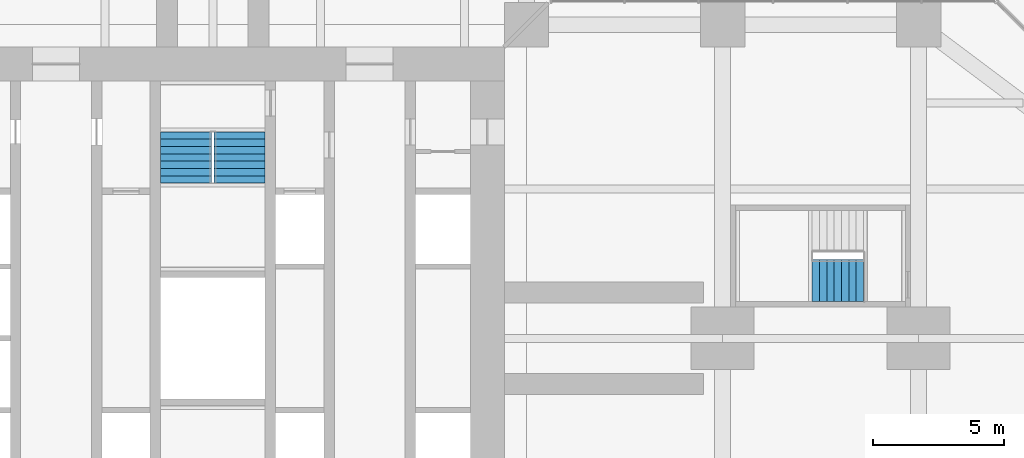
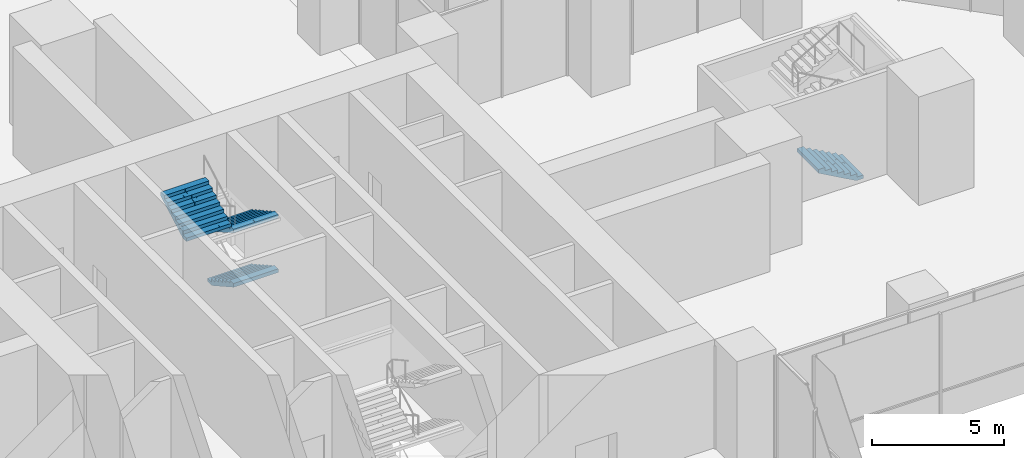
# One storey, part 21 of 23: 4 stair flights, 2 elements without a shape of their own.
"""IFC4 building model written with IfcOpenShell, lengths in metres."""

from ifc_helpers import new_model, si_unit, direction, frame, origin, place, context, subcontext, project, spatial, polyline, outline, extrude, material, type_object, element, aggregate, save


model = new_model("IFC4")

# Units and contexts
model_context = context("Model", 3, precision=1e-05, world=origin(), true_north=direction((0.0, 1.0)))
body_context = subcontext(model_context, "Body", "Model", "MODEL_VIEW")
ifc_project = project(units=[si_unit("LENGTHUNIT", "METRE"), si_unit("AREAUNIT", "SQUARE_METRE"), si_unit("VOLUMEUNIT", "CUBIC_METRE"), si_unit("PLANEANGLEUNIT", "RADIAN"), si_unit("MASSUNIT", "GRAM", prefix="KILO")], contexts=[model_context])

# Site, building, storey
site_placement = place(None, origin())
site = spatial("IfcSite", under=ifc_project, at=site_placement, CompositionType="ELEMENT")
building_placement = place(site_placement, origin())
building = spatial("IfcBuilding", under=site, at=building_placement, Name="Mizan Broadcast Tower", CompositionType="ELEMENT")
storey_placement = place(building_placement, frame((0.0, 0.0, 28.0)))
storey = spatial("IfcBuildingStorey", under=building, at=storey_placement, Name="L04", CompositionType="ELEMENT", Elevation=28.0)

# Stair, stair flights
ifc_material_1 = material(Name="Concrete C40/50", Category="concrete")
stair_type = type_object("IfcStairType", Name="EXIT STAIR", PredefinedType="HALF_TURN_STAIR", material=ifc_material_1)
stair_1_placement = place(storey_placement, origin())
stair_1 = element("IfcStair", 1, at=stair_1_placement, inside=storey, type_object=stair_type, Name="Stair B L04", PredefinedType="HALF_TURN_STAIR")
ifc_material_2 = material(Name="Concrete C40/50", Category="concrete")
stair_flight_type = type_object("IfcStairFlightType", Name="EXIT STAIR FLIGHT", PredefinedType="STRAIGHT", material=ifc_material_2)
stair_flight_1_placement = place(storey_placement, frame((1.02490234375, 7.89990234375, 0.0), z_axis=(0.0, 0.0, 1.0), x_axis=(0.0, -1.0, 0.0)))
stair_flight_1 = element("IfcStairFlight", 2, at=stair_flight_1_placement, type_object=stair_flight_type, Name="B flight 1", NumberOfRisers=8, NumberOfTreads=7, PredefinedType="STRAIGHT", RiserHeight=0.15625, TreadLength=0.28, context=body_context, shape_type="SweptSolid", body=[
    extrude(outline(polyline([(0.0, 0.0), (0.0, 0.15625), (0.280029296875, 0.15625), (0.280029296875, 0.3125), (0.56005859375, 0.3125), (0.56005859375, 0.46875), (0.840087890625, 0.46875), (0.840087890625, 0.625), (1.1201171875, 0.625), (1.1201171875, 0.78125), (1.39990234375, 0.78125), (1.39990234375, 0.9375), (1.679931640625, 0.9375), (1.679931640625, 1.09375), (1.9599609375, 1.09375), (1.9599609375, 1.25), (1.9599609375, 0.922119140625), (0.3076171875, 0.0), (0.0, 0.0)])), frame((0.0, 0.97509765625, 0.0), z_axis=(0.0, -1.0, 0.0), x_axis=(1.0, 0.0, 0.0)), (0.0, 0.0, 1.0), 0.4873046875),
    extrude(outline(polyline([(0.0, 0.0), (0.0, 0.15625), (0.280029296875, 0.15625), (0.280029296875, 0.3125), (0.56005859375, 0.3125), (0.56005859375, 0.46875), (0.840087890625, 0.46875), (0.840087890625, 0.625), (1.1201171875, 0.625), (1.1201171875, 0.78125), (1.39990234375, 0.78125), (1.39990234375, 0.9375), (1.679931640625, 0.9375), (1.679931640625, 1.09375), (1.9599609375, 1.09375), (1.9599609375, 1.25), (1.9599609375, 0.922119140625), (0.3076171875, 0.0), (0.0, 0.0)])), frame((0.0, 0.4873046875, 0.0), z_axis=(0.0, -1.0, 0.0), x_axis=(1.0, 0.0, 0.0)), (0.0, 0.0, 1.0), 0.2431640625),
    extrude(outline(polyline([(0.0, 0.0), (0.0, 0.15625), (0.280029296875, 0.15625), (0.280029296875, 0.3125), (0.56005859375, 0.3125), (0.56005859375, 0.46875), (0.840087890625, 0.46875), (0.840087890625, 0.625), (1.1201171875, 0.625), (1.1201171875, 0.78125), (1.39990234375, 0.78125), (1.39990234375, 0.9375), (1.679931640625, 0.9375), (1.679931640625, 1.09375), (1.9599609375, 1.09375), (1.9599609375, 1.25), (1.9599609375, 0.922119140625), (0.3076171875, 0.0), (0.0, 0.0)])), frame((0.0, 0.24365234375, 0.0), z_axis=(0.0, -1.0, 0.0), x_axis=(1.0, 0.0, 0.0)), (0.0, 0.0, 1.0), 0.121337890625),
    extrude(outline(polyline([(0.0, 0.0), (0.0, 0.15625), (0.280029296875, 0.15625), (0.280029296875, 0.3125), (0.56005859375, 0.3125), (0.56005859375, 0.46875), (0.840087890625, 0.46875), (0.840087890625, 0.625), (1.1201171875, 0.625), (1.1201171875, 0.78125), (1.39990234375, 0.78125), (1.39990234375, 0.9375), (1.679931640625, 0.9375), (1.679931640625, 1.09375), (1.9599609375, 1.09375), (1.9599609375, 1.25), (1.9599609375, 0.922119140625), (0.3076171875, 0.0), (0.0, 0.0)])), frame((0.0, 0.121826171875, 0.0), z_axis=(0.0, -1.0, 0.0), x_axis=(1.0, 0.0, 0.0)), (0.0, 0.0, 1.0), 0.060546875),
    extrude(outline(polyline([(0.0, 0.0), (0.0, 0.15625), (0.280029296875, 0.15625), (0.280029296875, 0.3125), (0.56005859375, 0.3125), (0.56005859375, 0.46875), (0.840087890625, 0.46875), (0.840087890625, 0.625), (1.1201171875, 0.625), (1.1201171875, 0.78125), (1.39990234375, 0.78125), (1.39990234375, 0.9375), (1.679931640625, 0.9375), (1.679931640625, 1.09375), (1.9599609375, 1.09375), (1.9599609375, 1.25), (1.9599609375, 0.922119140625), (0.3076171875, 0.0), (0.0, 0.0)])), frame((0.0, 0.060791015625, 0.0), z_axis=(0.0, -1.0, 0.0), x_axis=(1.0, 0.0, 0.0)), (0.0, 0.0, 1.0), 0.030029296875),
    extrude(outline(polyline([(0.0, 0.0), (0.0, 0.15625), (0.280029296875, 0.15625), (0.280029296875, 0.3125), (0.56005859375, 0.3125), (0.56005859375, 0.46875), (0.840087890625, 0.46875), (0.840087890625, 0.625), (1.1201171875, 0.625), (1.1201171875, 0.78125), (1.39990234375, 0.78125), (1.39990234375, 0.9375), (1.679931640625, 0.9375), (1.679931640625, 1.09375), (1.9599609375, 1.09375), (1.9599609375, 1.25), (1.9599609375, 0.922119140625), (0.3076171875, 0.0), (0.0, 0.0)])), frame((0.0, 0.0302734375, 0.0), z_axis=(0.0, -1.0, 0.0), x_axis=(1.0, 0.0, 0.0)), (0.0, 0.0, 1.0), 0.060302734375),
    extrude(outline(polyline([(0.0, 0.0), (0.0, 0.15625), (0.280029296875, 0.15625), (0.280029296875, 0.3125), (0.56005859375, 0.3125), (0.56005859375, 0.46875), (0.840087890625, 0.46875), (0.840087890625, 0.625), (1.1201171875, 0.625), (1.1201171875, 0.78125), (1.39990234375, 0.78125), (1.39990234375, 0.9375), (1.679931640625, 0.9375), (1.679931640625, 1.09375), (1.9599609375, 1.09375), (1.9599609375, 1.25), (1.9599609375, 0.922119140625), (0.3076171875, 0.0), (0.0, 0.0)])), frame((0.0, -0.030517578125, 0.0), z_axis=(0.0, -1.0, 0.0), x_axis=(1.0, 0.0, 0.0)), (0.0, 0.0, 1.0), 0.030029296875),
    extrude(outline(polyline([(0.0, 0.0), (0.0, 0.15625), (0.280029296875, 0.15625), (0.280029296875, 0.3125), (0.56005859375, 0.3125), (0.56005859375, 0.46875), (0.840087890625, 0.46875), (0.840087890625, 0.625), (1.1201171875, 0.625), (1.1201171875, 0.78125), (1.39990234375, 0.78125), (1.39990234375, 0.9375), (1.679931640625, 0.9375), (1.679931640625, 1.09375), (1.9599609375, 1.09375), (1.9599609375, 1.25), (1.9599609375, 0.922119140625), (0.3076171875, 0.0), (0.0, 0.0)])), frame((0.0, -0.06103515625, 0.0), z_axis=(0.0, -1.0, 0.0), x_axis=(1.0, 0.0, 0.0)), (0.0, 0.0, 1.0), 0.060546875),
    extrude(outline(polyline([(0.0, 0.0), (0.0, 0.15625), (0.280029296875, 0.15625), (0.280029296875, 0.3125), (0.56005859375, 0.3125), (0.56005859375, 0.46875), (0.840087890625, 0.46875), (0.840087890625, 0.625), (1.1201171875, 0.625), (1.1201171875, 0.78125), (1.39990234375, 0.78125), (1.39990234375, 0.9375), (1.679931640625, 0.9375), (1.679931640625, 1.09375), (1.9599609375, 1.09375), (1.9599609375, 1.25), (1.9599609375, 0.922119140625), (0.3076171875, 0.0), (0.0, 0.0)])), frame((0.0, -0.1220703125, 0.0), z_axis=(0.0, -1.0, 0.0), x_axis=(1.0, 0.0, 0.0)), (0.0, 0.0, 1.0), 0.121337890625),
    extrude(outline(polyline([(0.0, 0.0), (0.0, 0.15625), (0.280029296875, 0.15625), (0.280029296875, 0.3125), (0.56005859375, 0.3125), (0.56005859375, 0.46875), (0.840087890625, 0.46875), (0.840087890625, 0.625), (1.1201171875, 0.625), (1.1201171875, 0.78125), (1.39990234375, 0.78125), (1.39990234375, 0.9375), (1.679931640625, 0.9375), (1.679931640625, 1.09375), (1.9599609375, 1.09375), (1.9599609375, 1.25), (1.9599609375, 0.922119140625), (0.3076171875, 0.0), (0.0, 0.0)])), frame((0.0, -0.243896484375, 0.0), z_axis=(0.0, -1.0, 0.0), x_axis=(1.0, 0.0, 0.0)), (0.0, 0.0, 1.0), 0.2431640625),
    extrude(outline(polyline([(0.0, 0.0), (0.0, 0.15625), (0.280029296875, 0.15625), (0.280029296875, 0.3125), (0.56005859375, 0.3125), (0.56005859375, 0.46875), (0.840087890625, 0.46875), (0.840087890625, 0.625), (1.1201171875, 0.625), (1.1201171875, 0.78125), (1.39990234375, 0.78125), (1.39990234375, 0.9375), (1.679931640625, 0.9375), (1.679931640625, 1.09375), (1.9599609375, 1.09375), (1.9599609375, 1.25), (1.9599609375, 0.922119140625), (0.3076171875, 0.0), (0.0, 0.0)])), frame((0.0, -0.487548828125, 0.0), z_axis=(0.0, -1.0, 0.0), x_axis=(1.0, 0.0, 0.0)), (0.0, 0.0, 1.0), 0.4873046875),
])
stair_flight_2_placement = place(storey_placement, frame((1.02490234375, 7.89990234375, 2.5), z_axis=(0.0, 0.0, 1.0), x_axis=(0.0, -1.0, 0.0)))
stair_flight_2 = element("IfcStairFlight", 3, at=stair_flight_2_placement, type_object=stair_flight_type, Name="B flight 3", NumberOfRisers=8, NumberOfTreads=7, PredefinedType="STRAIGHT", RiserHeight=0.15625, TreadLength=0.28, context=body_context, shape_type="SweptSolid", body=[
    extrude(outline(polyline([(0.0, 0.0), (0.0, 0.15625), (0.280029296875, 0.15625), (0.280029296875, 0.3125), (0.56005859375, 0.3125), (0.56005859375, 0.46875), (0.840087890625, 0.46875), (0.840087890625, 0.625), (1.1201171875, 0.625), (1.1201171875, 0.78125), (1.39990234375, 0.78125), (1.39990234375, 0.9375), (1.679931640625, 0.9375), (1.679931640625, 1.09375), (1.9599609375, 1.09375), (1.9599609375, 1.25), (1.9599609375, 0.922119140625), (0.3076171875, 0.0), (0.0, 0.0)])), frame((0.0, 0.97509765625, 0.0), z_axis=(0.0, -1.0, 0.0), x_axis=(1.0, 0.0, 0.0)), (0.0, 0.0, 1.0), 0.4873046875),
    extrude(outline(polyline([(0.0, 0.0), (0.0, 0.15625), (0.280029296875, 0.15625), (0.280029296875, 0.3125), (0.56005859375, 0.3125), (0.56005859375, 0.46875), (0.840087890625, 0.46875), (0.840087890625, 0.625), (1.1201171875, 0.625), (1.1201171875, 0.78125), (1.39990234375, 0.78125), (1.39990234375, 0.9375), (1.679931640625, 0.9375), (1.679931640625, 1.09375), (1.9599609375, 1.09375), (1.9599609375, 1.25), (1.9599609375, 0.922119140625), (0.3076171875, 0.0), (0.0, 0.0)])), frame((0.0, 0.4873046875, 0.0), z_axis=(0.0, -1.0, 0.0), x_axis=(1.0, 0.0, 0.0)), (0.0, 0.0, 1.0), 0.2431640625),
    extrude(outline(polyline([(0.0, 0.0), (0.0, 0.15625), (0.280029296875, 0.15625), (0.280029296875, 0.3125), (0.56005859375, 0.3125), (0.56005859375, 0.46875), (0.840087890625, 0.46875), (0.840087890625, 0.625), (1.1201171875, 0.625), (1.1201171875, 0.78125), (1.39990234375, 0.78125), (1.39990234375, 0.9375), (1.679931640625, 0.9375), (1.679931640625, 1.09375), (1.9599609375, 1.09375), (1.9599609375, 1.25), (1.9599609375, 0.922119140625), (0.3076171875, 0.0), (0.0, 0.0)])), frame((0.0, 0.24365234375, 0.0), z_axis=(0.0, -1.0, 0.0), x_axis=(1.0, 0.0, 0.0)), (0.0, 0.0, 1.0), 0.121337890625),
    extrude(outline(polyline([(0.0, 0.0), (0.0, 0.15625), (0.280029296875, 0.15625), (0.280029296875, 0.3125), (0.56005859375, 0.3125), (0.56005859375, 0.46875), (0.840087890625, 0.46875), (0.840087890625, 0.625), (1.1201171875, 0.625), (1.1201171875, 0.78125), (1.39990234375, 0.78125), (1.39990234375, 0.9375), (1.679931640625, 0.9375), (1.679931640625, 1.09375), (1.9599609375, 1.09375), (1.9599609375, 1.25), (1.9599609375, 0.922119140625), (0.3076171875, 0.0), (0.0, 0.0)])), frame((0.0, 0.121826171875, 0.0), z_axis=(0.0, -1.0, 0.0), x_axis=(1.0, 0.0, 0.0)), (0.0, 0.0, 1.0), 0.060546875),
    extrude(outline(polyline([(0.0, 0.0), (0.0, 0.15625), (0.280029296875, 0.15625), (0.280029296875, 0.3125), (0.56005859375, 0.3125), (0.56005859375, 0.46875), (0.840087890625, 0.46875), (0.840087890625, 0.625), (1.1201171875, 0.625), (1.1201171875, 0.78125), (1.39990234375, 0.78125), (1.39990234375, 0.9375), (1.679931640625, 0.9375), (1.679931640625, 1.09375), (1.9599609375, 1.09375), (1.9599609375, 1.25), (1.9599609375, 0.922119140625), (0.3076171875, 0.0), (0.0, 0.0)])), frame((0.0, 0.060791015625, 0.0), z_axis=(0.0, -1.0, 0.0), x_axis=(1.0, 0.0, 0.0)), (0.0, 0.0, 1.0), 0.030029296875),
    extrude(outline(polyline([(0.0, 0.0), (0.0, 0.15625), (0.280029296875, 0.15625), (0.280029296875, 0.3125), (0.56005859375, 0.3125), (0.56005859375, 0.46875), (0.840087890625, 0.46875), (0.840087890625, 0.625), (1.1201171875, 0.625), (1.1201171875, 0.78125), (1.39990234375, 0.78125), (1.39990234375, 0.9375), (1.679931640625, 0.9375), (1.679931640625, 1.09375), (1.9599609375, 1.09375), (1.9599609375, 1.25), (1.9599609375, 0.922119140625), (0.3076171875, 0.0), (0.0, 0.0)])), frame((0.0, 0.0302734375, 0.0), z_axis=(0.0, -1.0, 0.0), x_axis=(1.0, 0.0, 0.0)), (0.0, 0.0, 1.0), 0.060302734375),
    extrude(outline(polyline([(0.0, 0.0), (0.0, 0.15625), (0.280029296875, 0.15625), (0.280029296875, 0.3125), (0.56005859375, 0.3125), (0.56005859375, 0.46875), (0.840087890625, 0.46875), (0.840087890625, 0.625), (1.1201171875, 0.625), (1.1201171875, 0.78125), (1.39990234375, 0.78125), (1.39990234375, 0.9375), (1.679931640625, 0.9375), (1.679931640625, 1.09375), (1.9599609375, 1.09375), (1.9599609375, 1.25), (1.9599609375, 0.922119140625), (0.3076171875, 0.0), (0.0, 0.0)])), frame((0.0, -0.030517578125, 0.0), z_axis=(0.0, -1.0, 0.0), x_axis=(1.0, 0.0, 0.0)), (0.0, 0.0, 1.0), 0.030029296875),
    extrude(outline(polyline([(0.0, 0.0), (0.0, 0.15625), (0.280029296875, 0.15625), (0.280029296875, 0.3125), (0.56005859375, 0.3125), (0.56005859375, 0.46875), (0.840087890625, 0.46875), (0.840087890625, 0.625), (1.1201171875, 0.625), (1.1201171875, 0.78125), (1.39990234375, 0.78125), (1.39990234375, 0.9375), (1.679931640625, 0.9375), (1.679931640625, 1.09375), (1.9599609375, 1.09375), (1.9599609375, 1.25), (1.9599609375, 0.922119140625), (0.3076171875, 0.0), (0.0, 0.0)])), frame((0.0, -0.06103515625, 0.0), z_axis=(0.0, -1.0, 0.0), x_axis=(1.0, 0.0, 0.0)), (0.0, 0.0, 1.0), 0.060546875),
    extrude(outline(polyline([(0.0, 0.0), (0.0, 0.15625), (0.280029296875, 0.15625), (0.280029296875, 0.3125), (0.56005859375, 0.3125), (0.56005859375, 0.46875), (0.840087890625, 0.46875), (0.840087890625, 0.625), (1.1201171875, 0.625), (1.1201171875, 0.78125), (1.39990234375, 0.78125), (1.39990234375, 0.9375), (1.679931640625, 0.9375), (1.679931640625, 1.09375), (1.9599609375, 1.09375), (1.9599609375, 1.25), (1.9599609375, 0.922119140625), (0.3076171875, 0.0), (0.0, 0.0)])), frame((0.0, -0.1220703125, 0.0), z_axis=(0.0, -1.0, 0.0), x_axis=(1.0, 0.0, 0.0)), (0.0, 0.0, 1.0), 0.121337890625),
    extrude(outline(polyline([(0.0, 0.0), (0.0, 0.15625), (0.280029296875, 0.15625), (0.280029296875, 0.3125), (0.56005859375, 0.3125), (0.56005859375, 0.46875), (0.840087890625, 0.46875), (0.840087890625, 0.625), (1.1201171875, 0.625), (1.1201171875, 0.78125), (1.39990234375, 0.78125), (1.39990234375, 0.9375), (1.679931640625, 0.9375), (1.679931640625, 1.09375), (1.9599609375, 1.09375), (1.9599609375, 1.25), (1.9599609375, 0.922119140625), (0.3076171875, 0.0), (0.0, 0.0)])), frame((0.0, -0.243896484375, 0.0), z_axis=(0.0, -1.0, 0.0), x_axis=(1.0, 0.0, 0.0)), (0.0, 0.0, 1.0), 0.2431640625),
    extrude(outline(polyline([(0.0, 0.0), (0.0, 0.15625), (0.280029296875, 0.15625), (0.280029296875, 0.3125), (0.56005859375, 0.3125), (0.56005859375, 0.46875), (0.840087890625, 0.46875), (0.840087890625, 0.625), (1.1201171875, 0.625), (1.1201171875, 0.78125), (1.39990234375, 0.78125), (1.39990234375, 0.9375), (1.679931640625, 0.9375), (1.679931640625, 1.09375), (1.9599609375, 1.09375), (1.9599609375, 1.25), (1.9599609375, 0.922119140625), (0.3076171875, 0.0), (0.0, 0.0)])), frame((0.0, -0.487548828125, 0.0), z_axis=(0.0, -1.0, 0.0), x_axis=(1.0, 0.0, 0.0)), (0.0, 0.0, 1.0), 0.4873046875),
])
stair_flight_3_placement = place(storey_placement, frame((-1.02490234375, 5.93994140625, 3.75), z_axis=(0.0, 0.0, 1.0), x_axis=(0.0, 1.0, 0.0)))
stair_flight_3 = element("IfcStairFlight", 4, at=stair_flight_3_placement, type_object=stair_flight_type, Name="B flight 4", NumberOfRisers=8, NumberOfTreads=7, PredefinedType="STRAIGHT", RiserHeight=0.15625, TreadLength=0.28, context=body_context, shape_type="SweptSolid", body=[
    extrude(outline(polyline([(0.0, 0.0), (0.0, 0.15625), (0.280029296875, 0.15625), (0.280029296875, 0.3125), (0.56005859375, 0.3125), (0.56005859375, 0.46875), (0.840087890625, 0.46875), (0.840087890625, 0.625), (1.1201171875, 0.625), (1.1201171875, 0.78125), (1.39990234375, 0.78125), (1.39990234375, 0.9375), (1.679931640625, 0.9375), (1.679931640625, 1.09375), (1.9599609375, 1.09375), (1.9599609375, 1.25), (1.9599609375, 0.922119140625), (0.3076171875, 0.0), (0.0, 0.0)])), frame((0.0, 0.97509765625, 0.0), z_axis=(0.0, -1.0, 0.0), x_axis=(1.0, 0.0, 0.0)), (0.0, 0.0, 1.0), 0.4873046875),
    extrude(outline(polyline([(0.0, 0.0), (0.0, 0.15625), (0.280029296875, 0.15625), (0.280029296875, 0.3125), (0.56005859375, 0.3125), (0.56005859375, 0.46875), (0.840087890625, 0.46875), (0.840087890625, 0.625), (1.1201171875, 0.625), (1.1201171875, 0.78125), (1.39990234375, 0.78125), (1.39990234375, 0.9375), (1.679931640625, 0.9375), (1.679931640625, 1.09375), (1.9599609375, 1.09375), (1.9599609375, 1.25), (1.9599609375, 0.922119140625), (0.3076171875, 0.0), (0.0, 0.0)])), frame((0.0, 0.4873046875, 0.0), z_axis=(0.0, -1.0, 0.0), x_axis=(1.0, 0.0, 0.0)), (0.0, 0.0, 1.0), 0.2431640625),
    extrude(outline(polyline([(0.0, 0.0), (0.0, 0.15625), (0.280029296875, 0.15625), (0.280029296875, 0.3125), (0.56005859375, 0.3125), (0.56005859375, 0.46875), (0.840087890625, 0.46875), (0.840087890625, 0.625), (1.1201171875, 0.625), (1.1201171875, 0.78125), (1.39990234375, 0.78125), (1.39990234375, 0.9375), (1.679931640625, 0.9375), (1.679931640625, 1.09375), (1.9599609375, 1.09375), (1.9599609375, 1.25), (1.9599609375, 0.922119140625), (0.3076171875, 0.0), (0.0, 0.0)])), frame((0.0, 0.24365234375, 0.0), z_axis=(0.0, -1.0, 0.0), x_axis=(1.0, 0.0, 0.0)), (0.0, 0.0, 1.0), 0.121337890625),
    extrude(outline(polyline([(0.0, 0.0), (0.0, 0.15625), (0.280029296875, 0.15625), (0.280029296875, 0.3125), (0.56005859375, 0.3125), (0.56005859375, 0.46875), (0.840087890625, 0.46875), (0.840087890625, 0.625), (1.1201171875, 0.625), (1.1201171875, 0.78125), (1.39990234375, 0.78125), (1.39990234375, 0.9375), (1.679931640625, 0.9375), (1.679931640625, 1.09375), (1.9599609375, 1.09375), (1.9599609375, 1.25), (1.9599609375, 0.922119140625), (0.3076171875, 0.0), (0.0, 0.0)])), frame((0.0, 0.121826171875, 0.0), z_axis=(0.0, -1.0, 0.0), x_axis=(1.0, 0.0, 0.0)), (0.0, 0.0, 1.0), 0.060546875),
    extrude(outline(polyline([(0.0, 0.0), (0.0, 0.15625), (0.280029296875, 0.15625), (0.280029296875, 0.3125), (0.56005859375, 0.3125), (0.56005859375, 0.46875), (0.840087890625, 0.46875), (0.840087890625, 0.625), (1.1201171875, 0.625), (1.1201171875, 0.78125), (1.39990234375, 0.78125), (1.39990234375, 0.9375), (1.679931640625, 0.9375), (1.679931640625, 1.09375), (1.9599609375, 1.09375), (1.9599609375, 1.25), (1.9599609375, 0.922119140625), (0.3076171875, 0.0), (0.0, 0.0)])), frame((0.0, 0.060791015625, 0.0), z_axis=(0.0, -1.0, 0.0), x_axis=(1.0, 0.0, 0.0)), (0.0, 0.0, 1.0), 0.030029296875),
    extrude(outline(polyline([(0.0, 0.0), (0.0, 0.15625), (0.280029296875, 0.15625), (0.280029296875, 0.3125), (0.56005859375, 0.3125), (0.56005859375, 0.46875), (0.840087890625, 0.46875), (0.840087890625, 0.625), (1.1201171875, 0.625), (1.1201171875, 0.78125), (1.39990234375, 0.78125), (1.39990234375, 0.9375), (1.679931640625, 0.9375), (1.679931640625, 1.09375), (1.9599609375, 1.09375), (1.9599609375, 1.25), (1.9599609375, 0.922119140625), (0.3076171875, 0.0), (0.0, 0.0)])), frame((0.0, 0.0302734375, 0.0), z_axis=(0.0, -1.0, 0.0), x_axis=(1.0, 0.0, 0.0)), (0.0, 0.0, 1.0), 0.060302734375),
    extrude(outline(polyline([(0.0, 0.0), (0.0, 0.15625), (0.280029296875, 0.15625), (0.280029296875, 0.3125), (0.56005859375, 0.3125), (0.56005859375, 0.46875), (0.840087890625, 0.46875), (0.840087890625, 0.625), (1.1201171875, 0.625), (1.1201171875, 0.78125), (1.39990234375, 0.78125), (1.39990234375, 0.9375), (1.679931640625, 0.9375), (1.679931640625, 1.09375), (1.9599609375, 1.09375), (1.9599609375, 1.25), (1.9599609375, 0.922119140625), (0.3076171875, 0.0), (0.0, 0.0)])), frame((0.0, -0.030517578125, 0.0), z_axis=(0.0, -1.0, 0.0), x_axis=(1.0, 0.0, 0.0)), (0.0, 0.0, 1.0), 0.030029296875),
    extrude(outline(polyline([(0.0, 0.0), (0.0, 0.15625), (0.280029296875, 0.15625), (0.280029296875, 0.3125), (0.56005859375, 0.3125), (0.56005859375, 0.46875), (0.840087890625, 0.46875), (0.840087890625, 0.625), (1.1201171875, 0.625), (1.1201171875, 0.78125), (1.39990234375, 0.78125), (1.39990234375, 0.9375), (1.679931640625, 0.9375), (1.679931640625, 1.09375), (1.9599609375, 1.09375), (1.9599609375, 1.25), (1.9599609375, 0.922119140625), (0.3076171875, 0.0), (0.0, 0.0)])), frame((0.0, -0.06103515625, 0.0), z_axis=(0.0, -1.0, 0.0), x_axis=(1.0, 0.0, 0.0)), (0.0, 0.0, 1.0), 0.060546875),
    extrude(outline(polyline([(0.0, 0.0), (0.0, 0.15625), (0.280029296875, 0.15625), (0.280029296875, 0.3125), (0.56005859375, 0.3125), (0.56005859375, 0.46875), (0.840087890625, 0.46875), (0.840087890625, 0.625), (1.1201171875, 0.625), (1.1201171875, 0.78125), (1.39990234375, 0.78125), (1.39990234375, 0.9375), (1.679931640625, 0.9375), (1.679931640625, 1.09375), (1.9599609375, 1.09375), (1.9599609375, 1.25), (1.9599609375, 0.922119140625), (0.3076171875, 0.0), (0.0, 0.0)])), frame((0.0, -0.1220703125, 0.0), z_axis=(0.0, -1.0, 0.0), x_axis=(1.0, 0.0, 0.0)), (0.0, 0.0, 1.0), 0.121337890625),
    extrude(outline(polyline([(0.0, 0.0), (0.0, 0.15625), (0.280029296875, 0.15625), (0.280029296875, 0.3125), (0.56005859375, 0.3125), (0.56005859375, 0.46875), (0.840087890625, 0.46875), (0.840087890625, 0.625), (1.1201171875, 0.625), (1.1201171875, 0.78125), (1.39990234375, 0.78125), (1.39990234375, 0.9375), (1.679931640625, 0.9375), (1.679931640625, 1.09375), (1.9599609375, 1.09375), (1.9599609375, 1.25), (1.9599609375, 0.922119140625), (0.3076171875, 0.0), (0.0, 0.0)])), frame((0.0, -0.243896484375, 0.0), z_axis=(0.0, -1.0, 0.0), x_axis=(1.0, 0.0, 0.0)), (0.0, 0.0, 1.0), 0.2431640625),
    extrude(outline(polyline([(0.0, 0.0), (0.0, 0.15625), (0.280029296875, 0.15625), (0.280029296875, 0.3125), (0.56005859375, 0.3125), (0.56005859375, 0.46875), (0.840087890625, 0.46875), (0.840087890625, 0.625), (1.1201171875, 0.625), (1.1201171875, 0.78125), (1.39990234375, 0.78125), (1.39990234375, 0.9375), (1.679931640625, 0.9375), (1.679931640625, 1.09375), (1.9599609375, 1.09375), (1.9599609375, 1.25), (1.9599609375, 0.922119140625), (0.3076171875, 0.0), (0.0, 0.0)])), frame((0.0, -0.487548828125, 0.0), z_axis=(0.0, -1.0, 0.0), x_axis=(1.0, 0.0, 0.0)), (0.0, 0.0, 1.0), 0.4873046875),
])
aggregate(stair_1, [stair_flight_1, stair_flight_2, stair_flight_3])

# Stair, stair flight
stair_2_placement = place(storey_placement, origin())
stair_2 = element("IfcStair", 5, at=stair_2_placement, inside=storey, type_object=stair_type, Name="Stair C L04", PredefinedType="HALF_TURN_STAIR")
stair_flight_4_placement = place(storey_placement, frame((24.889892578125, 2.205078125, 0.0), z_axis=(0.0, 0.0, 1.0), x_axis=(-1.0, 0.0, 0.0)))
stair_flight_4 = element("IfcStairFlight", 6, at=stair_flight_4_placement, type_object=stair_flight_type, Name="C flight 1", NumberOfRisers=8, NumberOfTreads=7, PredefinedType="STRAIGHT", RiserHeight=0.15625, TreadLength=0.28, context=body_context, shape_type="SweptSolid", body=[
    extrude(outline(polyline([(0.0, 0.0), (0.0, 0.15625), (0.280029296875, 0.15625), (0.280029296875, 0.3125), (0.56005859375, 0.3125), (0.56005859375, 0.46875), (0.840087890625, 0.46875), (0.840087890625, 0.625), (1.1201171875, 0.625), (1.1201171875, 0.78125), (1.39990234375, 0.78125), (1.39990234375, 0.9375), (1.679931640625, 0.9375), (1.679931640625, 1.09375), (1.9599609375, 1.09375), (1.9599609375, 1.25), (1.9599609375, 0.922119140625), (0.3076171875, 0.0), (0.0, 0.0)])), frame((0.0, 0.80517578125, 0.0), z_axis=(0.0, -1.0, 0.0), x_axis=(1.0, 0.0, 0.0)), (0.0, 0.0, 1.0), 0.40234375),
    extrude(outline(polyline([(0.0, 0.0), (0.0, 0.15625), (0.280029296875, 0.15625), (0.280029296875, 0.3125), (0.56005859375, 0.3125), (0.56005859375, 0.46875), (0.840087890625, 0.46875), (0.840087890625, 0.625), (1.1201171875, 0.625), (1.1201171875, 0.78125), (1.39990234375, 0.78125), (1.39990234375, 0.9375), (1.679931640625, 0.9375), (1.679931640625, 1.09375), (1.9599609375, 1.09375), (1.9599609375, 1.25), (1.9599609375, 0.922119140625), (0.3076171875, 0.0), (0.0, 0.0)])), frame((0.0, 0.40234375, 0.0), z_axis=(0.0, -1.0, 0.0), x_axis=(1.0, 0.0, 0.0)), (0.0, 0.0, 1.0), 0.20068359375),
    extrude(outline(polyline([(0.0, 0.0), (0.0, 0.15625), (0.280029296875, 0.15625), (0.280029296875, 0.3125), (0.56005859375, 0.3125), (0.56005859375, 0.46875), (0.840087890625, 0.46875), (0.840087890625, 0.625), (1.1201171875, 0.625), (1.1201171875, 0.78125), (1.39990234375, 0.78125), (1.39990234375, 0.9375), (1.679931640625, 0.9375), (1.679931640625, 1.09375), (1.9599609375, 1.09375), (1.9599609375, 1.25), (1.9599609375, 0.922119140625), (0.3076171875, 0.0), (0.0, 0.0)])), frame((0.0, 0.201171875, 0.0), z_axis=(0.0, -1.0, 0.0), x_axis=(1.0, 0.0, 0.0)), (0.0, 0.0, 1.0), 0.10009765625),
    extrude(outline(polyline([(0.0, 0.0), (0.0, 0.15625), (0.280029296875, 0.15625), (0.280029296875, 0.3125), (0.56005859375, 0.3125), (0.56005859375, 0.46875), (0.840087890625, 0.46875), (0.840087890625, 0.625), (1.1201171875, 0.625), (1.1201171875, 0.78125), (1.39990234375, 0.78125), (1.39990234375, 0.9375), (1.679931640625, 0.9375), (1.679931640625, 1.09375), (1.9599609375, 1.09375), (1.9599609375, 1.25), (1.9599609375, 0.922119140625), (0.3076171875, 0.0), (0.0, 0.0)])), frame((0.0, 0.1005859375, 0.0), z_axis=(0.0, -1.0, 0.0), x_axis=(1.0, 0.0, 0.0)), (0.0, 0.0, 1.0), 0.0498046875),
    extrude(outline(polyline([(0.0, 0.0), (0.0, 0.15625), (0.280029296875, 0.15625), (0.280029296875, 0.3125), (0.56005859375, 0.3125), (0.56005859375, 0.46875), (0.840087890625, 0.46875), (0.840087890625, 0.625), (1.1201171875, 0.625), (1.1201171875, 0.78125), (1.39990234375, 0.78125), (1.39990234375, 0.9375), (1.679931640625, 0.9375), (1.679931640625, 1.09375), (1.9599609375, 1.09375), (1.9599609375, 1.25), (1.9599609375, 0.922119140625), (0.3076171875, 0.0), (0.0, 0.0)])), frame((0.0, 0.05029296875, 0.0), z_axis=(0.0, -1.0, 0.0), x_axis=(1.0, 0.0, 0.0)), (0.0, 0.0, 1.0), 0.024658203125),
    extrude(outline(polyline([(0.0, 0.0), (0.0, 0.15625), (0.280029296875, 0.15625), (0.280029296875, 0.3125), (0.56005859375, 0.3125), (0.56005859375, 0.46875), (0.840087890625, 0.46875), (0.840087890625, 0.625), (1.1201171875, 0.625), (1.1201171875, 0.78125), (1.39990234375, 0.78125), (1.39990234375, 0.9375), (1.679931640625, 0.9375), (1.679931640625, 1.09375), (1.9599609375, 1.09375), (1.9599609375, 1.25), (1.9599609375, 0.922119140625), (0.3076171875, 0.0), (0.0, 0.0)])), frame((0.0, 0.025146484375, 0.0), z_axis=(0.0, -1.0, 0.0), x_axis=(1.0, 0.0, 0.0)), (0.0, 0.0, 1.0), 0.050048828125),
    extrude(outline(polyline([(0.0, 0.0), (0.0, 0.15625), (0.280029296875, 0.15625), (0.280029296875, 0.3125), (0.56005859375, 0.3125), (0.56005859375, 0.46875), (0.840087890625, 0.46875), (0.840087890625, 0.625), (1.1201171875, 0.625), (1.1201171875, 0.78125), (1.39990234375, 0.78125), (1.39990234375, 0.9375), (1.679931640625, 0.9375), (1.679931640625, 1.09375), (1.9599609375, 1.09375), (1.9599609375, 1.25), (1.9599609375, 0.922119140625), (0.3076171875, 0.0), (0.0, 0.0)])), frame((0.0, -0.025390625, 0.0), z_axis=(0.0, -1.0, 0.0), x_axis=(1.0, 0.0, 0.0)), (0.0, 0.0, 1.0), 0.024658203125),
    extrude(outline(polyline([(0.0, 0.0), (0.0, 0.15625), (0.280029296875, 0.15625), (0.280029296875, 0.3125), (0.56005859375, 0.3125), (0.56005859375, 0.46875), (0.840087890625, 0.46875), (0.840087890625, 0.625), (1.1201171875, 0.625), (1.1201171875, 0.78125), (1.39990234375, 0.78125), (1.39990234375, 0.9375), (1.679931640625, 0.9375), (1.679931640625, 1.09375), (1.9599609375, 1.09375), (1.9599609375, 1.25), (1.9599609375, 0.922119140625), (0.3076171875, 0.0), (0.0, 0.0)])), frame((0.0, -0.050537109375, 0.0), z_axis=(0.0, -1.0, 0.0), x_axis=(1.0, 0.0, 0.0)), (0.0, 0.0, 1.0), 0.0498046875),
    extrude(outline(polyline([(0.0, 0.0), (0.0, 0.15625), (0.280029296875, 0.15625), (0.280029296875, 0.3125), (0.56005859375, 0.3125), (0.56005859375, 0.46875), (0.840087890625, 0.46875), (0.840087890625, 0.625), (1.1201171875, 0.625), (1.1201171875, 0.78125), (1.39990234375, 0.78125), (1.39990234375, 0.9375), (1.679931640625, 0.9375), (1.679931640625, 1.09375), (1.9599609375, 1.09375), (1.9599609375, 1.25), (1.9599609375, 0.922119140625), (0.3076171875, 0.0), (0.0, 0.0)])), frame((0.0, -0.100830078125, 0.0), z_axis=(0.0, -1.0, 0.0), x_axis=(1.0, 0.0, 0.0)), (0.0, 0.0, 1.0), 0.10009765625),
    extrude(outline(polyline([(0.0, 0.0), (0.0, 0.15625), (0.280029296875, 0.15625), (0.280029296875, 0.3125), (0.56005859375, 0.3125), (0.56005859375, 0.46875), (0.840087890625, 0.46875), (0.840087890625, 0.625), (1.1201171875, 0.625), (1.1201171875, 0.78125), (1.39990234375, 0.78125), (1.39990234375, 0.9375), (1.679931640625, 0.9375), (1.679931640625, 1.09375), (1.9599609375, 1.09375), (1.9599609375, 1.25), (1.9599609375, 0.922119140625), (0.3076171875, 0.0), (0.0, 0.0)])), frame((0.0, -0.201416015625, 0.0), z_axis=(0.0, -1.0, 0.0), x_axis=(1.0, 0.0, 0.0)), (0.0, 0.0, 1.0), 0.20068359375),
    extrude(outline(polyline([(0.0, 0.0), (0.0, 0.15625), (0.280029296875, 0.15625), (0.280029296875, 0.3125), (0.56005859375, 0.3125), (0.56005859375, 0.46875), (0.840087890625, 0.46875), (0.840087890625, 0.625), (1.1201171875, 0.625), (1.1201171875, 0.78125), (1.39990234375, 0.78125), (1.39990234375, 0.9375), (1.679931640625, 0.9375), (1.679931640625, 1.09375), (1.9599609375, 1.09375), (1.9599609375, 1.25), (1.9599609375, 0.922119140625), (0.3076171875, 0.0), (0.0, 0.0)])), frame((0.0, -0.402587890625, 0.0), z_axis=(0.0, -1.0, 0.0), x_axis=(1.0, 0.0, 0.0)), (0.0, 0.0, 1.0), 0.40234375),
])
aggregate(stair_2, [stair_flight_4])

save(model, "model.ifc")
